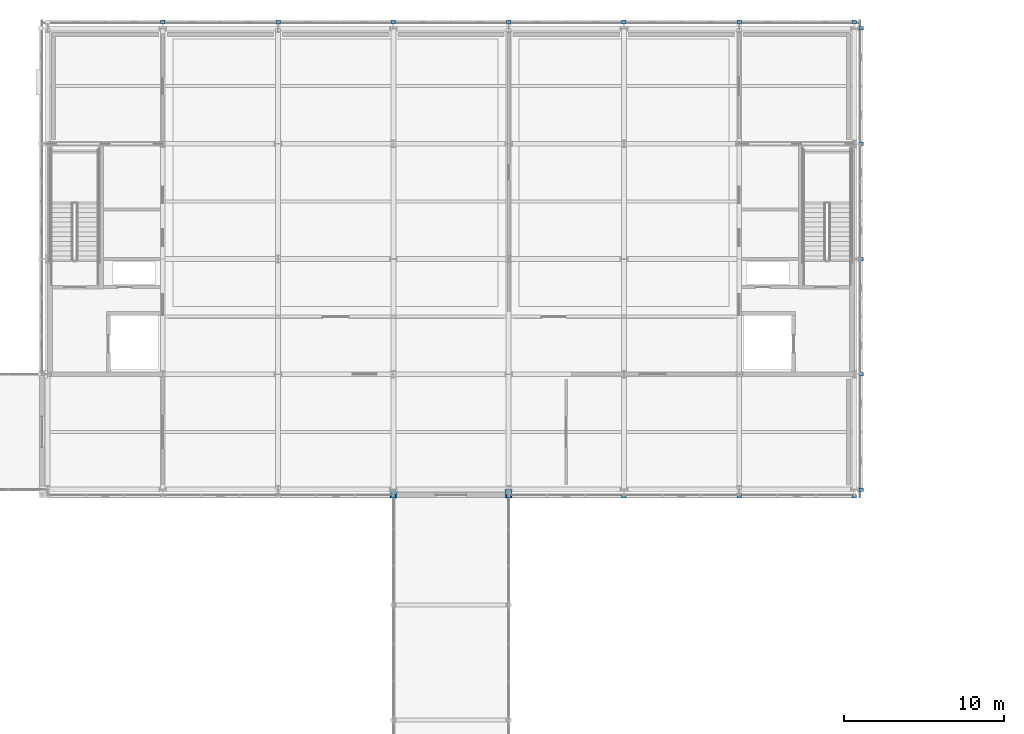
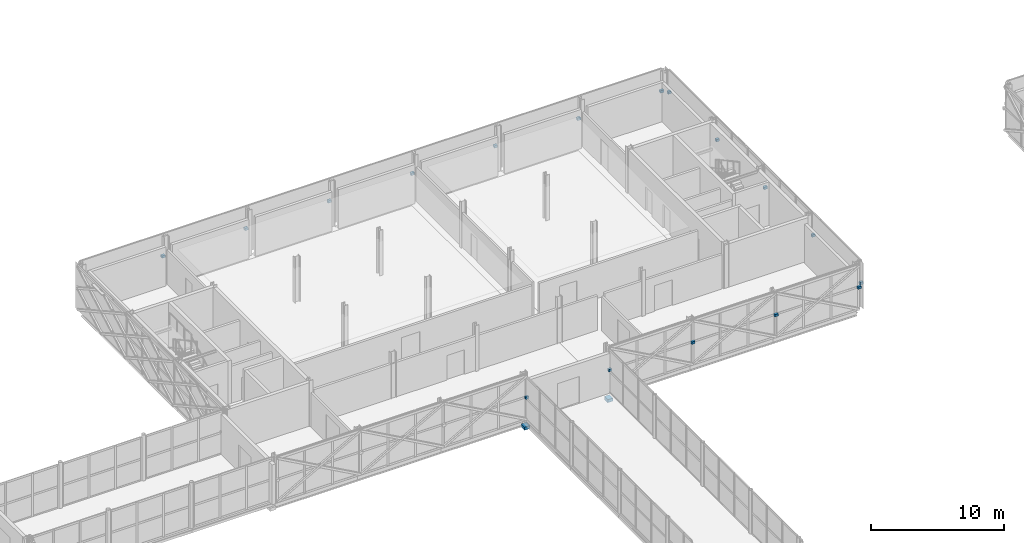
# One storey, part 131 of 146: 19 discrete accessories.
"""IFC4 building model written with IfcOpenShell, lengths in metres."""

from ifc_helpers import new_model, si_unit, direction, frame, origin, origin_2d, place, context, subcontext, project, spatial, rectangle, extrude, material, type_object, element, save


model = new_model("IFC4")

# Units and contexts
model_context = context("Model", 3, precision=1e-05, world=origin(), true_north=direction((0.0, 1.0)))
body_context = subcontext(model_context, "Body", "Model", "MODEL_VIEW")
ifc_project = project(units=[si_unit("LENGTHUNIT", "METRE"), si_unit("AREAUNIT", "SQUARE_METRE"), si_unit("VOLUMEUNIT", "CUBIC_METRE"), si_unit("PLANEANGLEUNIT", "RADIAN"), si_unit("MASSUNIT", "GRAM", prefix="KILO")], contexts=[model_context])

# Site, building, storey
site_placement = place(None, origin())
site = spatial("IfcSite", under=ifc_project, at=site_placement, CompositionType="ELEMENT")
building_placement = place(site_placement, origin())
building = spatial("IfcBuilding", under=site, at=building_placement, Name="Zlatovets Crest Museum", CompositionType="ELEMENT")
storey_placement = place(building_placement, frame((0.0, 0.0, 4.5)))
storey = spatial("IfcBuildingStorey", under=building, at=storey_placement, Name="L01", CompositionType="ELEMENT", Elevation=4.5)

# Discrete accessories
ifc_material = material(Name="Structural steel S355J2", Category="steel")
discrete_accessory_type_1 = type_object("IfcDiscreteAccessoryType", Name="BridgeBearingSeat_BS01", PredefinedType="SHOE", material=ifc_material)
for number, where, z_axis, x_axis, name in (
    (1, (79.199951171875, 86.139892578125, -0.7998046875), (0.0, 0.0, 1.0), (1.0, 0.0, 0.0), "Central Sculpture Court Cloister and Skywalk L01 520mm Sliding Bearing Seat Corbel Shoe"),
    (2, (86.39990234375, 86.139892578125, -0.7998046875), (0.0, 0.0, 1.0), (1.0, 0.0, 0.0), "Central Sculpture Court Cloister and Skywalk L01 520mm Sliding Bearing Seat Corbel Shoe"),
):
    element("IfcDiscreteAccessory", number, at=place(storey_placement, frame(where, z_axis=z_axis, x_axis=x_axis)), inside=storey, type_object=discrete_accessory_type_1, Name=name, PredefinedType="SHOE", context=body_context, shape_type="SweptSolid", body=[
        extrude(rectangle(XDim=0.449951171875, YDim=0.52001953125, at=origin_2d()), origin(), (0.0, 0.0, 1.0), 0.280029296875),
    ])
discrete_accessory_type_2 = type_object("IfcDiscreteAccessoryType", Name="LatticeBracket_BK01", PredefinedType="BRACKET", material=ifc_material)
for number, where, z_axis, x_axis, name in (
    (3, (79.199951171875, 85.97998046875, 1.990234375), (0.0, 0.0, 1.0), (1.0, 0.0, 0.0), "Bronze Lattice Structural Collector Bracket"),
    (4, (86.39990234375, 85.97998046875, 1.990234375), (0.0, 0.0, 1.0), (1.0, 0.0, 0.0), "Bronze Lattice Structural Collector Bracket"),
    (5, (93.60009765625, 85.97998046875, 1.990234375), (0.0, 0.0, 1.0), (1.0, 0.0, 0.0), "Bronze Lattice Structural Collector Bracket"),
    (6, (100.800048828125, 85.97998046875, 1.990234375), (0.0, 0.0, 1.0), (1.0, 0.0, 0.0), "Bronze Lattice Structural Collector Bracket"),
    (7, (108.0, 85.97998046875, 1.990234375), (0.0, 0.0, 1.0), (1.0, 0.0, 0.0), "Bronze Lattice Structural Collector Bracket"),
    (8, (108.419921875, 86.39990234375, 1.990234375), (0.0, 0.0, 1.0), (1.0, 0.0, 0.0), "Bronze Lattice Structural Collector Bracket"),
    (9, (108.419921875, 93.60009765625, 1.990234375), (0.0, 0.0, 1.0), (1.0, 0.0, 0.0), "Bronze Lattice Structural Collector Bracket"),
    (10, (108.419921875, 100.800048828125, 1.990234375), (0.0, 0.0, 1.0), (1.0, 0.0, 0.0), "Bronze Lattice Structural Collector Bracket"),
    (11, (108.419921875, 108.0, 1.990234375), (0.0, 0.0, 1.0), (1.0, 0.0, 0.0), "Bronze Lattice Structural Collector Bracket"),
    (12, (108.419921875, 115.199951171875, 1.990234375), (0.0, 0.0, 1.0), (1.0, 0.0, 0.0), "Bronze Lattice Structural Collector Bracket"),
    (13, (108.0, 115.6201171875, 1.990234375), (0.0, 0.0, 1.0), (1.0, 0.0, 0.0), "Bronze Lattice Structural Collector Bracket"),
    (14, (100.800048828125, 115.6201171875, 1.990234375), (0.0, 0.0, 1.0), (1.0, 0.0, 0.0), "Bronze Lattice Structural Collector Bracket"),
    (15, (93.60009765625, 115.6201171875, 1.990234375), (0.0, 0.0, 1.0), (1.0, 0.0, 0.0), "Bronze Lattice Structural Collector Bracket"),
    (16, (86.39990234375, 115.6201171875, 1.990234375), (0.0, 0.0, 1.0), (1.0, 0.0, 0.0), "Bronze Lattice Structural Collector Bracket"),
    (17, (79.199951171875, 115.6201171875, 1.990234375), (0.0, 0.0, 1.0), (1.0, 0.0, 0.0), "Bronze Lattice Structural Collector Bracket"),
    (18, (72.0, 115.6201171875, 1.990234375), (0.0, 0.0, 1.0), (1.0, 0.0, 0.0), "Bronze Lattice Structural Collector Bracket"),
    (19, (64.800048828125, 115.6201171875, 1.990234375), (0.0, 0.0, 1.0), (1.0, 0.0, 0.0), "Bronze Lattice Structural Collector Bracket"),
):
    element("IfcDiscreteAccessory", number, at=place(storey_placement, frame(where, z_axis=z_axis, x_axis=x_axis)), inside=storey, type_object=discrete_accessory_type_2, Name=name, PredefinedType="BRACKET", context=body_context, shape_type="SweptSolid", body=[
        extrude(rectangle(XDim=0.280029296875, YDim=0.219970703125, at=origin_2d()), origin(), (0.0, 0.0, 1.0), 0.219970703125),
    ])

save(model, "model.ifc")
